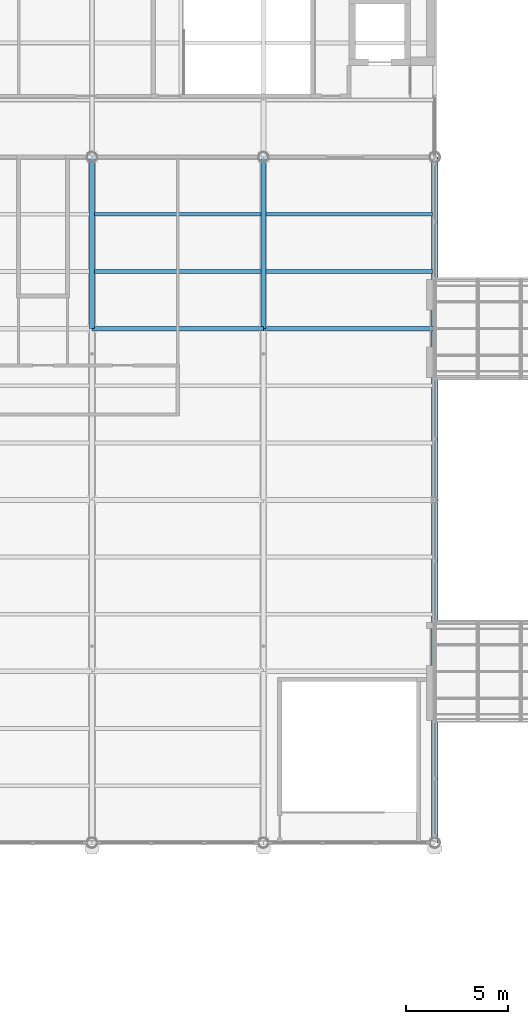
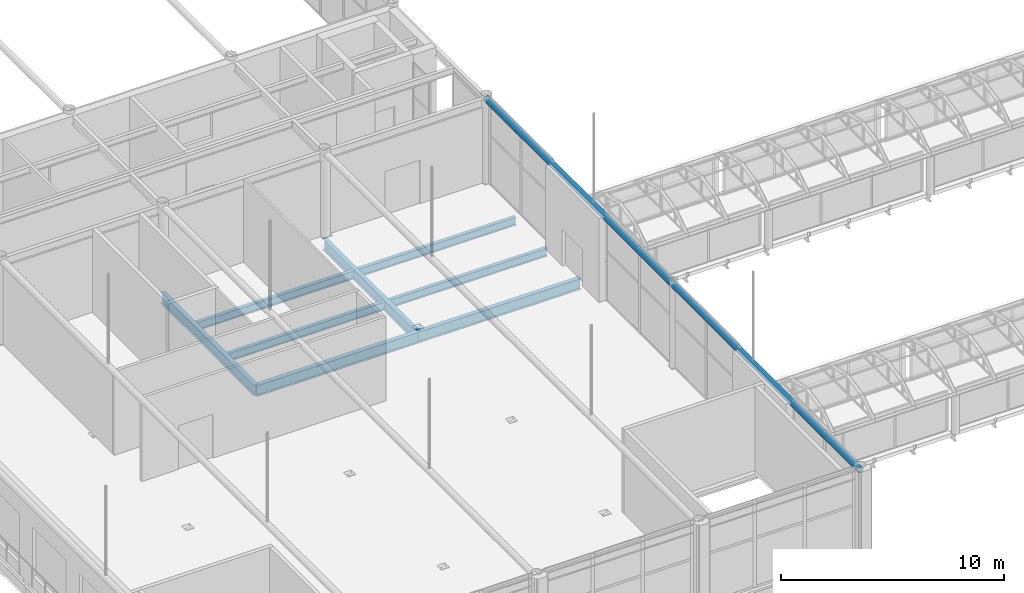
# One storey, part 90 of 167: 9 beams.
"""IFC4 building model written with IfcOpenShell, lengths in metres."""

from ifc_helpers import new_model, si_unit, direction, frame, origin, origin_2d, place, context, subcontext, project, spatial, hollow_circle, i_section, extrude, material, material_profile, profile_set, type_object, element, save


model = new_model("IFC4")

# Units and contexts
model_context = context("Model", 3, precision=1e-05, world=origin(), true_north=direction((0.0, 1.0)))
body_context = subcontext(model_context, "Body", "Model", "MODEL_VIEW")
ifc_project = project(units=[si_unit("LENGTHUNIT", "METRE"), si_unit("AREAUNIT", "SQUARE_METRE"), si_unit("VOLUMEUNIT", "CUBIC_METRE"), si_unit("PLANEANGLEUNIT", "RADIAN"), si_unit("MASSUNIT", "GRAM", prefix="KILO")], contexts=[model_context])

# Site, building, storey
site_placement = place(None, origin())
site = spatial("IfcSite", under=ifc_project, at=site_placement, CompositionType="ELEMENT")
building_placement = place(site_placement, origin())
building = spatial("IfcBuilding", under=site, at=building_placement, Name="Catenary Quay Ferry Terminal", CompositionType="ELEMENT")
storey_placement = place(building_placement, frame((0.0, 0.0, 6.0)))
storey = spatial("IfcBuildingStorey", under=building, at=storey_placement, Name="L01", CompositionType="ELEMENT", Elevation=6.0)

# Beams
ifc_material_1 = material(Name="Steel S355", Category="steel")
ifc_material_profile_1 = material_profile(ifc_material_1, i_section(OverallWidth=0.2275390625, OverallDepth=0.6025390625, WebThickness=0.010498046875, FlangeThickness=0.014892578125, at=origin_2d()), Name="UB 610x229x101")
ifc_profile_set_1 = profile_set([ifc_material_profile_1], Name="Steel S355")
beam_type_1 = type_object("IfcBeamType", Name="B3 UB 610x229x101", PredefinedType="BEAM", material=ifc_profile_set_1)
for number, where, z_axis, x_axis, name in (
    (1, (75.60009765625, 92.39990234375, -0.5009765625), (1.0, 0.0, 0.0), (0.0, 1.0, 0.0), "Beam B3-015"),
    (2, (84.0, 92.39990234375, -0.5009765625), (1.0, 0.0, 0.0), (0.0, 1.0, 0.0), "Beam B3-016"),
):
    element("IfcBeam", number, at=place(storey_placement, frame(where, z_axis=z_axis, x_axis=x_axis)), inside=storey, type_object=beam_type_1, Name=name, PredefinedType="BEAM", context=body_context, shape_type="SweptSolid", body=[
        extrude(i_section(OverallWidth=0.2275390625, OverallDepth=0.6025390625, WebThickness=0.010498046875, FlangeThickness=0.014892578125, at=origin_2d()), origin(), (0.0, 0.0, 1.0), 8.39990234375),
    ])
for number, where, z_axis, x_axis, name in (
    (3, (75.60009765625, 92.39990234375, -0.5009765625), (0.0, 1.0, 0.0), (-1.0, 0.0, 0.0), "Beam B3-038"),
    (4, (84.0, 92.39990234375, -0.5009765625), (0.0, 1.0, 0.0), (-1.0, 0.0, 0.0), "Beam B3-043"),
):
    element("IfcBeam", number, at=place(storey_placement, frame(where, z_axis=z_axis, x_axis=x_axis)), inside=storey, type_object=beam_type_1, Name=name, PredefinedType="BEAM", context=body_context, shape_type="SweptSolid", body=[
        extrude(i_section(OverallWidth=0.2275390625, OverallDepth=0.6025390625, WebThickness=0.010498046875, FlangeThickness=0.014892578125, at=origin_2d()), origin(), (0.0, 0.0, 1.0), 8.400146484375),
    ])
ifc_material_2 = material(Name="Steel S355", Category="steel")
ifc_material_profile_2 = material_profile(ifc_material_2, i_section(OverallWidth=0.18994140625, OverallDepth=0.449951171875, WebThickness=0.009521484375, FlangeThickness=0.0146484375, at=origin_2d()), Name="IPE 450")
ifc_profile_set_2 = profile_set([ifc_material_profile_2], Name="Steel S355")
beam_type_2 = type_object("IfcBeamType", Name="B4 IPE 450", PredefinedType="BEAM", material=ifc_profile_set_2)
for number, where, z_axis, x_axis, name in (
    (5, (75.714111328125, 95.199951171875, -0.425048828125), (1.0, 0.0, 0.0), (0.0, 1.0, 0.0), "Beam B4-023"),
    (6, (84.114013671875, 95.199951171875, -0.425048828125), (1.0, 0.0, 0.0), (0.0, 1.0, 0.0), "Beam B4-024"),
    (7, (75.714111328125, 98.0, -0.425048828125), (1.0, 0.0, 0.0), (0.0, 1.0, 0.0), "Beam B4-027"),
    (8, (84.114013671875, 98.0, -0.425048828125), (1.0, 0.0, 0.0), (0.0, 1.0, 0.0), "Beam B4-028"),
):
    element("IfcBeam", number, at=place(storey_placement, frame(where, z_axis=z_axis, x_axis=x_axis)), inside=storey, type_object=beam_type_2, Name=name, PredefinedType="BEAM", context=body_context, shape_type="SweptSolid", body=[
        extrude(i_section(OverallWidth=0.18994140625, OverallDepth=0.449951171875, WebThickness=0.009521484375, FlangeThickness=0.0146484375, at=origin_2d()), origin(), (0.0, 0.0, 1.0), 8.171875),
    ])
ifc_material_3 = material(Name="Steel S355", Category="steel")
ifc_material_profile_3 = material_profile(ifc_material_3, hollow_circle(Radius=0.161865234375, WallThickness=0.01611328125, at=origin_2d()), Name="CHS 323.9x16")
ifc_profile_set_3 = profile_set([ifc_material_profile_3], Name="Steel S355")
beam_type_3 = type_object("IfcBeamType", Name="TB3 CHS 323.9x16", PredefinedType="BEAM", material=ifc_profile_set_3)
beam_placement = place(storey_placement, frame((92.39990234375, 67.199951171875, 4.5), z_axis=(0.0, 1.0, 0.0), x_axis=(-1.0, 0.0, 0.0)))
element("IfcBeam", 9, at=beam_placement, inside=storey, type_object=beam_type_3, Name="Vault tie beam VA-09", PredefinedType="BEAM", context=body_context, shape_type="SweptSolid", body=[
    extrude(hollow_circle(Radius=0.161865234375, WallThickness=0.01611328125, at=origin_2d()), origin(), (0.0, 0.0, 1.0), 33.60009765625),
])

save(model, "model.ifc")
